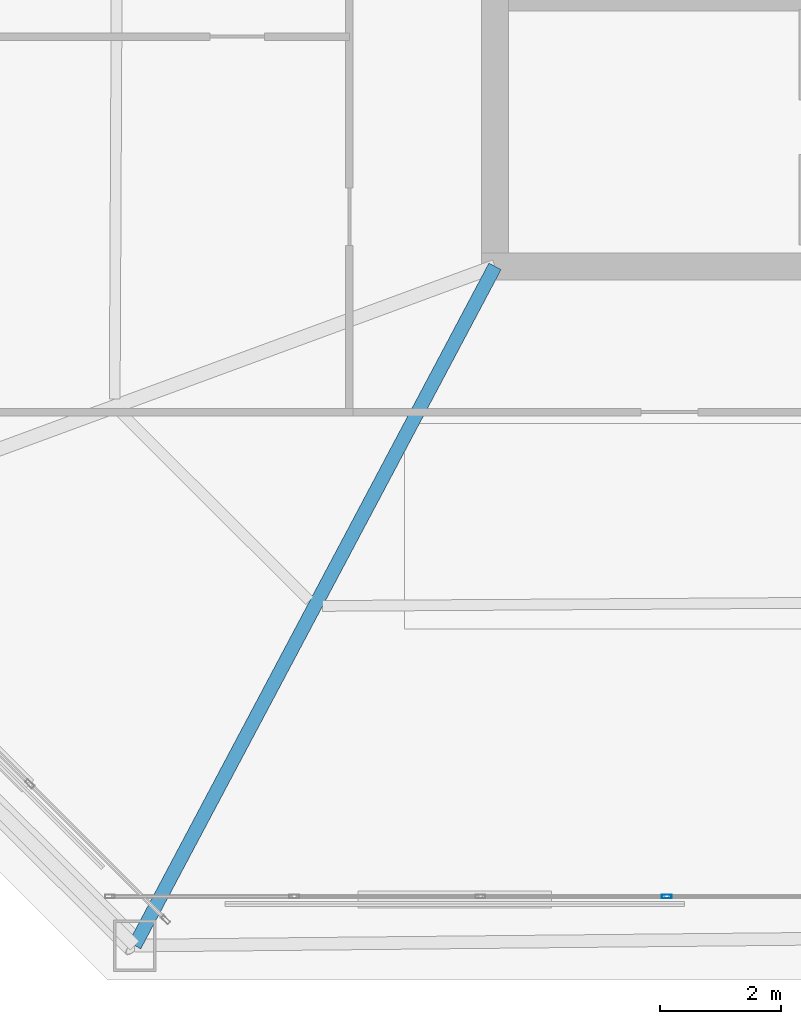
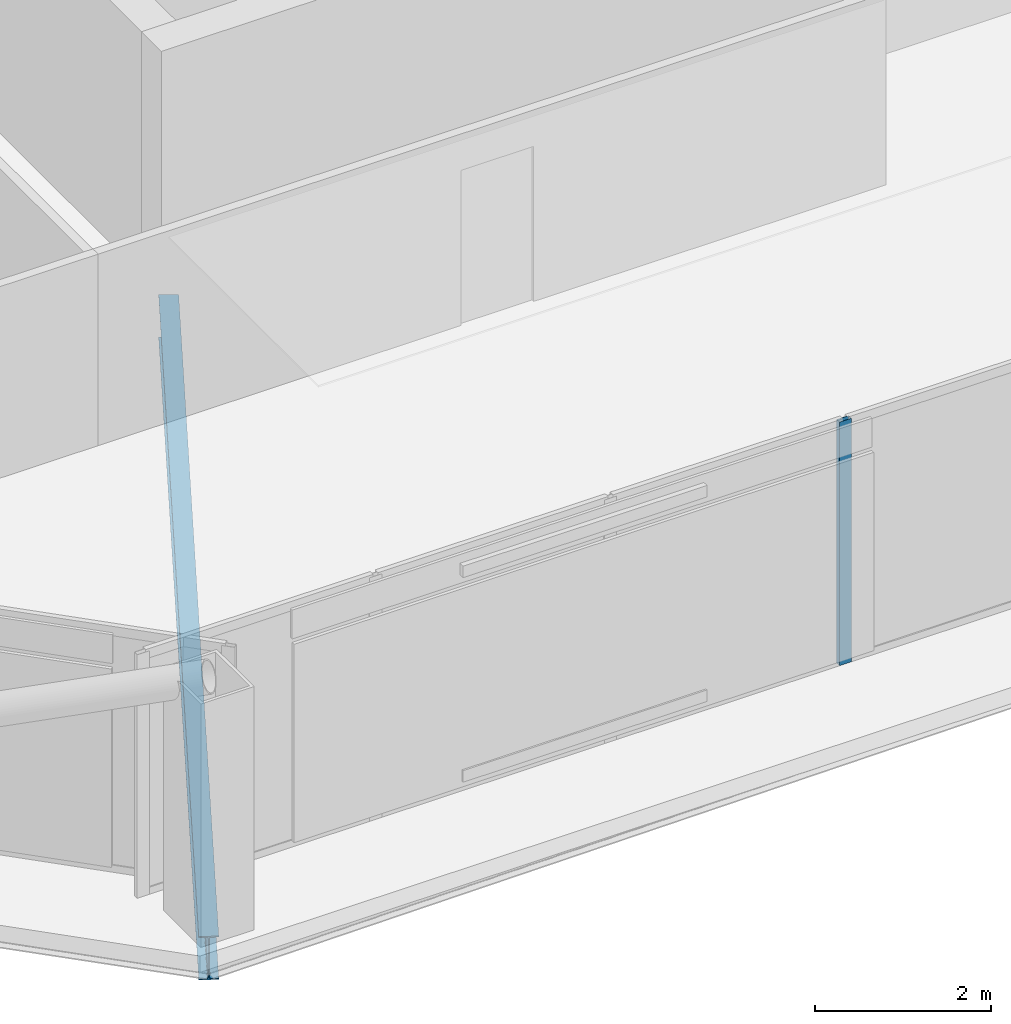
# One storey, part 5 of 39: 1 beam, 1 member, 1 element without a shape of its own.
"""IFC4 building model written with IfcOpenShell, lengths in metres."""

from ifc_helpers import new_model, si_unit, direction, frame, origin, origin_2d, place, context, subcontext, project, spatial, hollow_rectangle, i_section, extrude, material, layer, layer_set, material_profile, profile_set, type_object, element, aggregate, save


model = new_model("IFC4")

# Units and contexts
model_context = context("Model", 3, precision=1e-05, world=origin(), true_north=direction((0.0, 1.0)))
body_context = subcontext(model_context, "Body", "Model", "MODEL_VIEW")
ifc_project = project(units=[si_unit("LENGTHUNIT", "METRE"), si_unit("AREAUNIT", "SQUARE_METRE"), si_unit("VOLUMEUNIT", "CUBIC_METRE"), si_unit("PLANEANGLEUNIT", "RADIAN"), si_unit("MASSUNIT", "GRAM", prefix="KILO")], contexts=[model_context])

# Site, building, storey
site_placement = place(None, origin())
site = spatial("IfcSite", under=ifc_project, at=site_placement, CompositionType="ELEMENT")
building_placement = place(site_placement, origin())
building = spatial("IfcBuilding", under=site, at=building_placement, Name="Caelvoria Tower", CompositionType="ELEMENT")
storey_placement = place(building_placement, frame((0.0, 0.0, 198.60009765625)))
storey = spatial("IfcBuildingStorey", under=building, at=storey_placement, Name="L52", CompositionType="ELEMENT", Elevation=198.60009765625)

# Curtain wall, member
ifc_material_1 = material(Name="Anodised Bronze Aluminium and Low-E Glass", Category="aluminium")
ifc_layer = layer(ifc_material_1, 0.175048828125, Name="Anodised Bronze Aluminium and Low-E Glass")
ifc_layer_set = layer_set([ifc_layer], Name="CW System 4 High-Zone Tapered Crystal Facade - Anodised Bronze Aluminium and Low-E Glass")
curtain_wall_type = type_object("IfcCurtainWallType", Name="CW System 4 High-Zone Tapered Crystal Facade", PredefinedType="NOTDEFINED", material=ifc_layer_set)
curtain_wall_placement = place(storey_placement, origin())
curtain_wall = element("IfcCurtainWall", 1, at=curtain_wall_placement, inside=storey, type_object=curtain_wall_type, Name="CW-04 Curtain Wall L52-E0", PredefinedType="NOTDEFINED")
ifc_material_2 = material(Name="Anodised Bronze Architectural Aluminium", Category="aluminium")
ifc_material_profile_1 = material_profile(ifc_material_2, hollow_rectangle(XDim=0.06494140625, YDim=0.159912109375, WallThickness=0.00390625, at=origin_2d()), Name="Anodised Bronze Architectural Aluminium")
ifc_profile_set_1 = profile_set([ifc_material_profile_1], Name="CW_MULL_65X160 - Anodised Bronze Architectural Aluminium")
member_type = type_object("IfcMemberType", Name="Curtain Wall Mullion 65x160 Bronze Aluminium", PredefinedType="MULLION", material=ifc_profile_set_1)
member_placement = place(storey_placement, frame((39.840087890625, 13.580078125, 0.0), z_axis=(0.0, 0.0, 1.0), x_axis=(0.0, 1.0, 0.0)))
member = element("IfcMember", 2, at=member_placement, type_object=member_type, Name="CW-04 mullion 4", PredefinedType="MULLION", context=body_context, shape_type="SweptSolid", body=[
    extrude(hollow_rectangle(XDim=0.06494140625, YDim=0.159912109375, WallThickness=0.00390625, at=origin_2d()), origin(), (0.0, 0.0, 1.0), 3.375),
])
aggregate(curtain_wall, [member])

# Beam
ifc_material_3 = material(Name="Structural Steel ASTM A992 Gr.50", Category="steel")
ifc_material_profile_2 = material_profile(ifc_material_3, i_section(OverallWidth=0.22802734375, OverallDepth=0.60302734375, WebThickness=0.010498046875, FlangeThickness=0.014892578125, FilletRadius=0.01806640625, at=origin_2d()), Name="Structural Steel ASTM A992 Gr.50")
ifc_profile_set_2 = profile_set([ifc_material_profile_2], Name="W610X101 - Structural Steel ASTM A992 Gr.50")
beam_type = type_object("IfcBeamType", Name="Primary Floor Girder W610X101", PredefinedType="BEAM", material=ifc_profile_set_2)
beam_placement = place(storey_placement, frame((37.0, 24.0, -0.526611328125), z_axis=(-0.468613670085, -0.883403208173, 0.0), x_axis=(0.883403208173, -0.468613670085, 0.0)))
element("IfcBeam", 3, at=beam_placement, inside=storey, type_object=beam_type, Name="Primary Floor Girder L52-00", PredefinedType="BEAM", context=body_context, shape_type="SweptSolid", body=[
    extrude(i_section(OverallWidth=0.22802734375, OverallDepth=0.60302734375, WebThickness=0.010498046875, FlangeThickness=0.014892578125, FilletRadius=0.01806640625, at=origin_2d()), origin(), (0.0, 0.0, 1.0), 12.714111328125),
])

save(model, "model.ifc")
